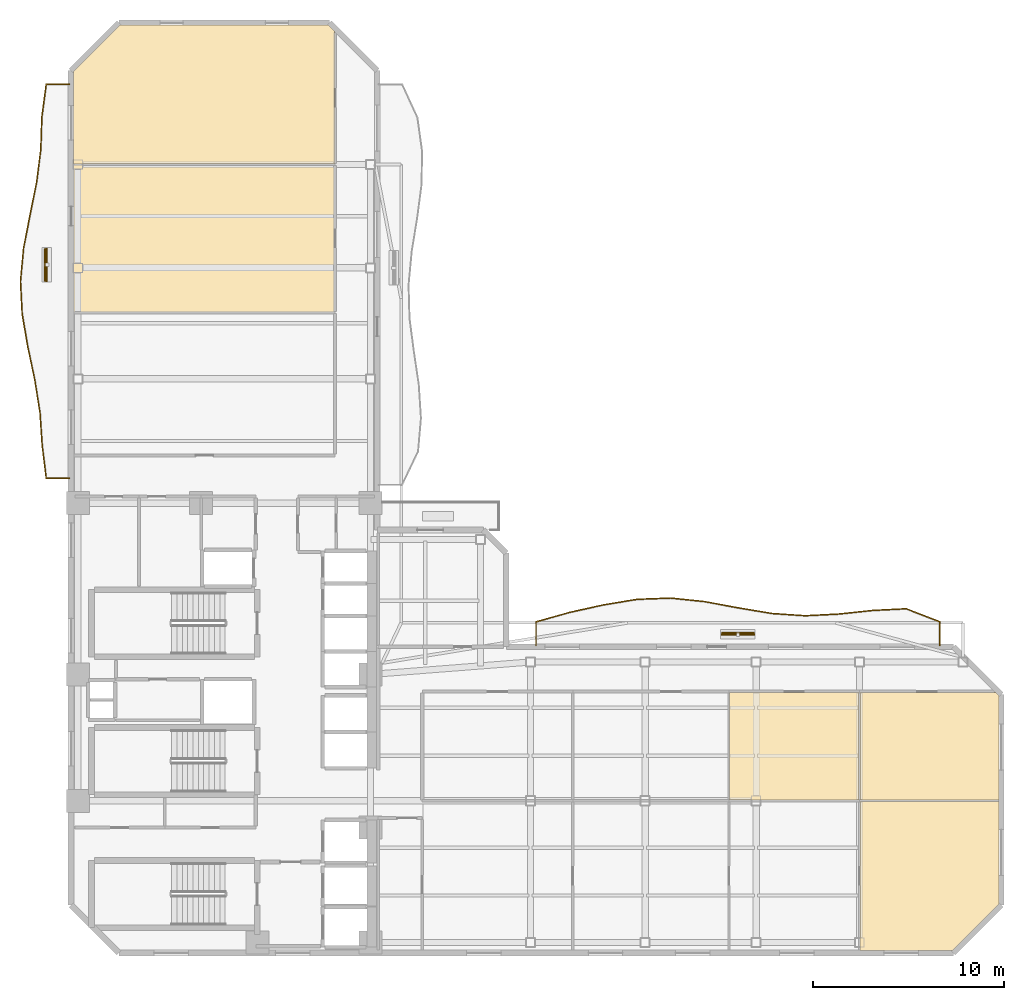
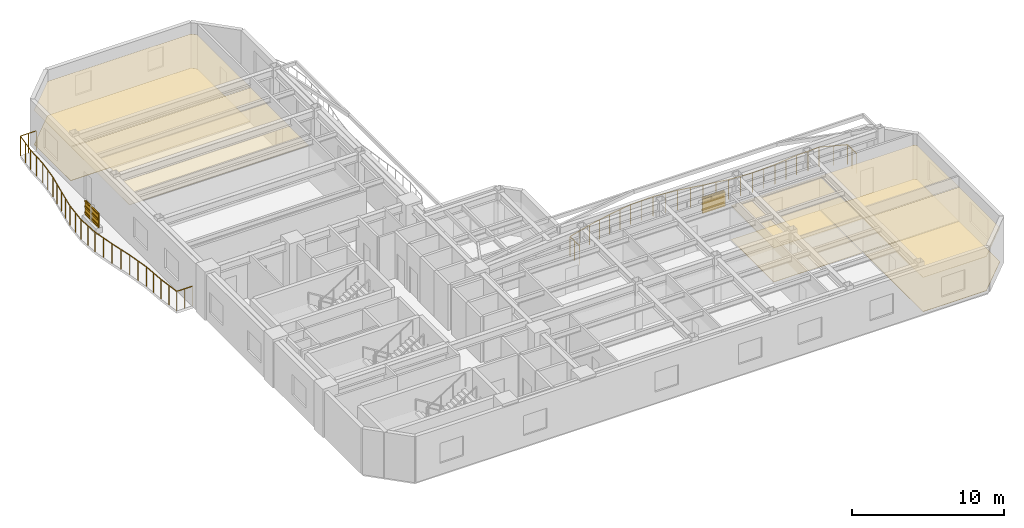
# One storey, part 9 of 10: 9 coverings, 8 shading devices, 2 railings.
"""IFC4 building model written with IfcOpenShell, lengths in metres."""

from ifc_helpers import new_model, si_unit, direction, frame, origin, origin_2d, place, context, subcontext, project, spatial, polyline, rectangle, outline, extrude, material, layer, layer_set, material_profile, profile_set, type_object, element, save


model = new_model("IFC4")

# Units and contexts
model_context = context("Model", 3, precision=1e-05, world=origin(), true_north=direction((0.0, 1.0)))
body_context = subcontext(model_context, "Body", "Model", "MODEL_VIEW")
ifc_project = project(units=[si_unit("LENGTHUNIT", "METRE"), si_unit("AREAUNIT", "SQUARE_METRE"), si_unit("VOLUMEUNIT", "CUBIC_METRE"), si_unit("PLANEANGLEUNIT", "RADIAN"), si_unit("MASSUNIT", "GRAM", prefix="KILO")], contexts=[model_context])

# Site, building, storey
site_placement = place(None, origin())
site = spatial("IfcSite", under=ifc_project, at=site_placement, CompositionType="ELEMENT")
building_placement = place(site_placement, origin())
building = spatial("IfcBuilding", under=site, at=building_placement, Name="Mawjaban Terraces University", CompositionType="ELEMENT")
storey_placement = place(building_placement, frame((0.0, 0.0, 158.0)))
storey = spatial("IfcBuildingStorey", under=building, at=storey_placement, Name="L38", CompositionType="ELEMENT", Elevation=158.0)

# Coverings
ifc_material_1 = material(Name="Acoustic mineral fibre ceiling tile", Category="masonry")
ifc_layer_1 = layer(ifc_material_1, 0.02001953125)
ifc_layer_set_1 = layer_set([ifc_layer_1], Name="Acoustic mineral fibre ceiling tile")
covering_type_1 = type_object("IfcCoveringType", Name="AcousticMineralCeiling_20", PredefinedType="CEILING", material=ifc_layer_set_1)
covering_1_placement = place(storey_placement, frame((0.0, 0.0, 2.75)))
element("IfcCovering", 1, at=covering_1_placement, inside=storey, type_object=covering_type_1, Name="L38 Classroom 7 Acoustic Ceiling", PredefinedType="CEILING", context=body_context, shape_type="SweptSolid", body=[
    extrude(outline(polyline([(63.169921875, 7.97998046875), (63.169921875, 13.6201171875), (56.412109375, 13.6201171875), (56.412109375, 7.97998046875), (63.169921875, 7.97998046875)])), origin(), (0.0, 0.0, 1.0), 0.02001953125),
])
covering_2_placement = place(storey_placement, frame((0.0, 0.0, 2.75)))
element("IfcCovering", 2, at=covering_2_placement, inside=storey, type_object=covering_type_1, Name="L38 Seminar Room 8 Acoustic Ceiling", PredefinedType="CEILING", context=body_context, shape_type="SweptSolid", body=[
    extrude(outline(polyline([(63.22998046875, 0.114990234375), (68.052978515625, 0.114990234375), (70.485107421875, 2.547119140625), (70.485107421875, 7.919921875), (63.22998046875, 7.919921875), (63.22998046875, 0.114990234375)])), origin(), (0.0, 0.0, 1.0), 0.02001953125),
])
covering_3_placement = place(storey_placement, frame((0.0, 0.0, 2.75)))
element("IfcCovering", 3, at=covering_3_placement, inside=storey, type_object=covering_type_1, Name="L38 Tutorial Room 9 Acoustic Ceiling", PredefinedType="CEILING", context=body_context, shape_type="SweptSolid", body=[
    extrude(outline(polyline([(70.485107421875, 7.97998046875), (70.485107421875, 13.452880859375), (70.318115234375, 13.6201171875), (63.22998046875, 13.6201171875), (63.22998046875, 7.97998046875), (70.485107421875, 7.97998046875)])), origin(), (0.0, 0.0, 1.0), 0.02001953125),
])
covering_4_placement = place(storey_placement, frame((0.0, 0.0, 2.75)))
element("IfcCovering", 4, at=covering_4_placement, inside=storey, type_object=covering_type_1, Name="L38 Student Tea Pantry 11 Acoustic Ceiling", PredefinedType="CEILING", context=body_context, shape_type="SweptSolid", body=[
    extrude(outline(polyline([(22.114990234375, 41.169921875), (22.114990234375, 33.488037109375), (35.77001953125, 33.488037109375), (35.77001953125, 41.169921875), (22.114990234375, 41.169921875)])), origin(), (0.0, 0.0, 1.0), 0.02001953125),
])
covering_5_placement = place(storey_placement, frame((0.0, 0.0, 2.75)))
element("IfcCovering", 5, at=covering_5_placement, inside=storey, type_object=covering_type_1, Name="L38 Quiet Reading Room 12 Acoustic Ceiling", PredefinedType="CEILING", context=body_context, shape_type="SweptSolid", body=[
    extrude(outline(polyline([(35.77001953125, 48.16796875), (35.452880859375, 48.485107421875), (24.547119140625, 48.485107421875), (22.114990234375, 46.052978515625), (22.114990234375, 41.22998046875), (35.77001953125, 41.22998046875), (35.77001953125, 48.16796875)])), origin(), (0.0, 0.0, 1.0), 0.02001953125),
])

# Railings
ifc_material_2 = material(Name="Galvanised powder-coated steel S355", Category="steel")
railing_type = type_object("IfcRailingType", Name="BalconyBalustrade_1600", PredefinedType="BALUSTRADE", material=ifc_material_2)
railing_1_placement = place(storey_placement, frame((21.919921875, 24.800048828125, 0.0)))
element("IfcRailing", 6, at=railing_1_placement, inside=storey, type_object=railing_type, Name="L38 Balcony Guardrail west", PredefinedType="BALUSTRADE", context=body_context, shape_type="SweptSolid", body=[
    extrude(rectangle(XDim=0.048095703125, YDim=0.048095703125, at=origin_2d()), frame((0.0, 0.0, 1.576171875), z_axis=(-1.0, 0.0, 0.0), x_axis=(0.0, -1.0, 0.0)), (0.0, 0.0, 1.0), 1.219970703125),
    extrude(rectangle(XDim=0.048095703125, YDim=0.048095703125, at=origin_2d()), frame((-1.219970703125, 0.0, 1.576171875), z_axis=(-0.122488819477, 0.992469893298, 0.0), x_axis=(-0.992469893298, -0.122488819477, 0.0)), (0.0, 0.0, 1.0), 1.72998046875),
    extrude(rectangle(XDim=0.048095703125, YDim=0.048095703125, at=origin_2d()), frame((-1.431884765625, 1.717041015625, 1.576171875), z_axis=(-0.066302277362, 0.997799583091, 0.0), x_axis=(-0.997799583091, -0.066302277362, 0.0)), (0.0, 0.0, 1.0), 1.719482421875),
    extrude(rectangle(XDim=0.048095703125, YDim=0.048095703125, at=origin_2d()), frame((-1.5458984375, 3.432861328125, 1.576171875), z_axis=(-0.157541431604, 0.987512378316, 0.0), x_axis=(-0.987512378316, -0.157541431604, 0.0)), (0.0, 0.0, 1.0), 1.73876953125),
    extrude(rectangle(XDim=0.048095703125, YDim=0.048095703125, at=origin_2d()), frame((-1.81982421875, 5.14990234375, 1.576171875), z_axis=(-0.206858725181, 0.978370823265, 0.0), x_axis=(-0.978370823265, -0.206858725181, 0.0)), (0.0, 0.0, 1.0), 1.7548828125),
    extrude(rectangle(XDim=0.048095703125, YDim=0.048095703125, at=origin_2d()), frame((-2.182861328125, 6.866943359375, 1.576171875), z_axis=(-0.169512504784, 0.985528036497, 0.0), x_axis=(-0.985528036497, -0.169512504784, 0.0)), (0.0, 0.0, 1.0), 1.7412109375),
    extrude(rectangle(XDim=0.048095703125, YDim=0.048095703125, at=origin_2d()), frame((-2.47802734375, 8.5830078125, 1.576171875), z_axis=(-0.051120332769, 0.998692501012, 0.0), x_axis=(-0.998692501012, -0.051120332769, 0.0)), (0.0, 0.0, 1.0), 1.71923828125),
    extrude(rectangle(XDim=0.048095703125, YDim=0.048095703125, at=origin_2d()), frame((-2.56591796875, 10.300048828125, 1.576171875), z_axis=(0.093305620359, 0.995637514967, 0.0), x_axis=(-0.995637514967, 0.093305620359, 0.0)), (0.0, 0.0, 1.0), 1.724365234375),
    extrude(rectangle(XDim=0.048095703125, YDim=0.048095703125, at=origin_2d()), frame((-2.405029296875, 12.016845703125, 1.576171875), z_axis=(0.189961103854, 0.981791616904, 0.0), x_axis=(-0.981791616904, 0.189961103854, 0.0)), (0.0, 0.0, 1.0), 1.747802734375),
    extrude(rectangle(XDim=0.048095703125, YDim=0.048095703125, at=origin_2d()), frame((-2.072998046875, 13.73291015625, 1.576171875), z_axis=(0.198179399531, 0.980165764349, 0.0), x_axis=(-0.980165764349, 0.198179399531, 0.0)), (0.0, 0.0, 1.0), 1.751708984375),
    extrude(rectangle(XDim=0.048095703125, YDim=0.048095703125, at=origin_2d()), frame((-1.725830078125, 15.449951171875, 1.576171875), z_axis=(0.127071813054, 0.991893519652, 0.0), x_axis=(-0.991893519652, 0.127071813054, 0.0)), (0.0, 0.0, 1.0), 1.73095703125),
    extrude(rectangle(XDim=0.048095703125, YDim=0.048095703125, at=origin_2d()), frame((-1.505859375, 17.1669921875, 1.576171875), z_axis=(0.033130188277, 0.999451044636, 0.0), x_axis=(-0.999451044636, 0.033130188277, 0.0)), (0.0, 0.0, 1.0), 1.717041015625),
    extrude(rectangle(XDim=0.048095703125, YDim=0.048095703125, at=origin_2d()), frame((-1.448974609375, 18.883056640625, 1.576171875), z_axis=(0.132219118441, 0.99122051266, 0.0), x_axis=(-0.99122051266, 0.132219118441, 0.0)), (0.0, 0.0, 1.0), 1.73193359375),
    extrude(rectangle(XDim=0.048095703125, YDim=0.048095703125, at=origin_2d()), frame((-1.219970703125, 20.599853515625, 1.576171875), z_axis=(1.0, 0.0, 0.0), x_axis=(0.0, 1.0, 0.0)), (0.0, 0.0, 1.0), 1.219970703125),
    extrude(rectangle(XDim=0.0419921875, YDim=0.0419921875, at=origin_2d()), origin(), (0.0, 0.0, 1.0), 1.552001953125),
    extrude(rectangle(XDim=0.0419921875, YDim=0.0419921875, at=origin_2d()), frame((-0.60986328125, 0.0, 0.0)), (0.0, 0.0, 1.0), 1.552001953125),
    extrude(rectangle(XDim=0.0419921875, YDim=0.0419921875, at=origin_2d()), frame((-1.219970703125, 0.0, 0.0)), (0.0, 0.0, 1.0), 1.552001953125),
    extrude(rectangle(XDim=0.0419921875, YDim=0.0419921875, at=origin_2d()), frame((-1.325927734375, 0.8583984375, 0.0)), (0.0, 0.0, 1.0), 1.552001953125),
    extrude(rectangle(XDim=0.0419921875, YDim=0.0419921875, at=origin_2d()), frame((-1.431884765625, 1.717041015625, 0.0)), (0.0, 0.0, 1.0), 1.552001953125),
    extrude(rectangle(XDim=0.0419921875, YDim=0.0419921875, at=origin_2d()), frame((-1.48876953125, 2.574951171875, 0.0)), (0.0, 0.0, 1.0), 1.552001953125),
    extrude(rectangle(XDim=0.0419921875, YDim=0.0419921875, at=origin_2d()), frame((-1.5458984375, 3.432861328125, 0.0)), (0.0, 0.0, 1.0), 1.552001953125),
    extrude(rectangle(XDim=0.0419921875, YDim=0.0419921875, at=origin_2d()), frame((-1.682861328125, 4.29150390625, 0.0)), (0.0, 0.0, 1.0), 1.552001953125),
    extrude(rectangle(XDim=0.0419921875, YDim=0.0419921875, at=origin_2d()), frame((-1.81982421875, 5.14990234375, 0.0)), (0.0, 0.0, 1.0), 1.552001953125),
    extrude(rectangle(XDim=0.0419921875, YDim=0.0419921875, at=origin_2d()), frame((-2.00146484375, 6.00830078125, 0.0)), (0.0, 0.0, 1.0), 1.552001953125),
    extrude(rectangle(XDim=0.0419921875, YDim=0.0419921875, at=origin_2d()), frame((-2.182861328125, 6.866943359375, 0.0)), (0.0, 0.0, 1.0), 1.552001953125),
    extrude(rectangle(XDim=0.0419921875, YDim=0.0419921875, at=origin_2d()), frame((-2.33056640625, 7.72509765625, 0.0)), (0.0, 0.0, 1.0), 1.552001953125),
    extrude(rectangle(XDim=0.0419921875, YDim=0.0419921875, at=origin_2d()), frame((-2.47802734375, 8.5830078125, 0.0)), (0.0, 0.0, 1.0), 1.552001953125),
    extrude(rectangle(XDim=0.0419921875, YDim=0.0419921875, at=origin_2d()), frame((-2.52197265625, 9.44140625, 0.0)), (0.0, 0.0, 1.0), 1.552001953125),
    extrude(rectangle(XDim=0.0419921875, YDim=0.0419921875, at=origin_2d()), frame((-2.56591796875, 10.300048828125, 0.0)), (0.0, 0.0, 1.0), 1.552001953125),
    extrude(rectangle(XDim=0.0419921875, YDim=0.0419921875, at=origin_2d()), frame((-2.4853515625, 11.158447265625, 0.0)), (0.0, 0.0, 1.0), 1.552001953125),
    extrude(rectangle(XDim=0.0419921875, YDim=0.0419921875, at=origin_2d()), frame((-2.405029296875, 12.016845703125, 0.0)), (0.0, 0.0, 1.0), 1.552001953125),
    extrude(rectangle(XDim=0.0419921875, YDim=0.0419921875, at=origin_2d()), frame((-2.239013671875, 12.875, 0.0)), (0.0, 0.0, 1.0), 1.552001953125),
    extrude(rectangle(XDim=0.0419921875, YDim=0.0419921875, at=origin_2d()), frame((-2.072998046875, 13.73291015625, 0.0)), (0.0, 0.0, 1.0), 1.552001953125),
    extrude(rectangle(XDim=0.0419921875, YDim=0.0419921875, at=origin_2d()), frame((-1.8994140625, 14.59130859375, 0.0)), (0.0, 0.0, 1.0), 1.552001953125),
    extrude(rectangle(XDim=0.0419921875, YDim=0.0419921875, at=origin_2d()), frame((-1.725830078125, 15.449951171875, 0.0)), (0.0, 0.0, 1.0), 1.552001953125),
    extrude(rectangle(XDim=0.0419921875, YDim=0.0419921875, at=origin_2d()), frame((-1.61572265625, 16.30859375, 0.0)), (0.0, 0.0, 1.0), 1.552001953125),
    extrude(rectangle(XDim=0.0419921875, YDim=0.0419921875, at=origin_2d()), frame((-1.505859375, 17.1669921875, 0.0)), (0.0, 0.0, 1.0), 1.552001953125),
    extrude(rectangle(XDim=0.0419921875, YDim=0.0419921875, at=origin_2d()), frame((-1.4775390625, 18.02490234375, 0.0)), (0.0, 0.0, 1.0), 1.552001953125),
    extrude(rectangle(XDim=0.0419921875, YDim=0.0419921875, at=origin_2d()), frame((-1.448974609375, 18.883056640625, 0.0)), (0.0, 0.0, 1.0), 1.552001953125),
    extrude(rectangle(XDim=0.0419921875, YDim=0.0419921875, at=origin_2d()), frame((-1.33447265625, 19.741455078125, 0.0)), (0.0, 0.0, 1.0), 1.552001953125),
    extrude(rectangle(XDim=0.0419921875, YDim=0.0419921875, at=origin_2d()), frame((-1.219970703125, 20.599853515625, 0.0)), (0.0, 0.0, 1.0), 1.552001953125),
    extrude(rectangle(XDim=0.0419921875, YDim=0.0419921875, at=origin_2d()), frame((-0.60986328125, 20.599853515625, 0.0)), (0.0, 0.0, 1.0), 1.552001953125),
    extrude(rectangle(XDim=0.0419921875, YDim=0.0419921875, at=origin_2d()), frame((0.0, 20.599853515625, 0.0)), (0.0, 0.0, 1.0), 1.552001953125),
])
railing_2_placement = place(storey_placement, frame((46.2939453125, 16.080078125, 0.0)))
element("IfcRailing", 7, at=railing_2_placement, inside=storey, type_object=railing_type, Name="L38 Balcony Guardrail inner_north", PredefinedType="BALUSTRADE", context=body_context, shape_type="SweptSolid", body=[
    extrude(rectangle(XDim=0.048095703125, YDim=0.048095703125, at=origin_2d()), frame((0.0, 0.0, 1.576171875), z_axis=(0.0, 1.0, 0.0), x_axis=(-1.0, 0.0, 0.0)), (0.0, 0.0, 1.0), 1.219970703125),
    extrude(rectangle(XDim=0.048095703125, YDim=0.048095703125, at=origin_2d()), frame((0.0, 1.219970703125, 1.576171875), z_axis=(0.962490831044, 0.271314209278, 0.0), x_axis=(-0.271314209278, 0.962490831044, 0.0)), (0.0, 0.0, 1.0), 1.82763671875),
    extrude(rectangle(XDim=0.048095703125, YDim=0.048095703125, at=origin_2d()), frame((1.759033203125, 1.7158203125, 1.576171875), z_axis=(0.976390698962, 0.216012043601, 0.0), x_axis=(-0.216012043601, 0.976390698962, 0.0)), (0.0, 0.0, 1.0), 1.801513671875),
    extrude(rectangle(XDim=0.048095703125, YDim=0.048095703125, at=origin_2d()), frame((3.51806640625, 2.10498046875, 1.576171875), z_axis=(0.986397625762, 0.164376774186, 0.0), x_axis=(-0.164376774186, 0.986397625762, 0.0)), (0.0, 0.0, 1.0), 1.7822265625),
    extrude(rectangle(XDim=0.048095703125, YDim=0.048095703125, at=origin_2d()), frame((5.276123046875, 2.39794921875, 1.576171875), z_axis=(0.999298589203, 0.037447691754, 0.0), x_axis=(-0.037447691754, 0.999298589203, 0.0)), (0.0, 0.0, 1.0), 1.76025390625),
    extrude(rectangle(XDim=0.048095703125, YDim=0.048095703125, at=origin_2d()), frame((7.03515625, 2.4638671875, 1.576171875), z_axis=(0.994695204555, -0.102866175374, 0.0), x_axis=(0.102866175374, 0.994695204555, 0.0)), (0.0, 0.0, 1.0), 1.76806640625),
    extrude(rectangle(XDim=0.048095703125, YDim=0.048095703125, at=origin_2d()), frame((8.7939453125, 2.281982421875, 1.576171875), z_axis=(0.983141460234, -0.182846572757, 0.0), x_axis=(0.182846572757, 0.983141460234, 0.0)), (0.0, 0.0, 1.0), 1.789306640625),
    extrude(rectangle(XDim=0.048095703125, YDim=0.048095703125, at=origin_2d()), frame((10.552978515625, 1.954833984375, 1.576171875), z_axis=(0.98614495807, -0.165885869421, 0.0), x_axis=(0.165885869421, 0.98614495807, 0.0)), (0.0, 0.0, 1.0), 1.78369140625),
    extrude(rectangle(XDim=0.048095703125, YDim=0.048095703125, at=origin_2d()), frame((12.31201171875, 1.658935546875, 1.576171875), z_axis=(0.997760580089, -0.066886656514, 0.0), x_axis=(0.066886656514, 0.997760580089, 0.0)), (0.0, 0.0, 1.0), 1.762939453125),
    extrude(rectangle(XDim=0.048095703125, YDim=0.048095703125, at=origin_2d()), frame((14.071044921875, 1.541015625, 1.576171875), z_axis=(0.998726278648, 0.050456122891, 0.0), x_axis=(-0.050456122891, 0.998726278648, 0.0)), (0.0, 0.0, 1.0), 1.76123046875),
    extrude(rectangle(XDim=0.048095703125, YDim=0.048095703125, at=origin_2d()), frame((15.830078125, 1.6298828125, 1.576171875), z_axis=(0.994331594155, 0.106323472782, 0.0), x_axis=(-0.106323472782, 0.994331594155, 0.0)), (0.0, 0.0, 1.0), 1.76806640625),
    extrude(rectangle(XDim=0.048095703125, YDim=0.048095703125, at=origin_2d()), frame((17.588134765625, 1.81787109375, 1.576171875), z_axis=(0.998774707744, 0.049488212445, 0.0), x_axis=(-0.049488212445, 0.998774707744, 0.0)), (0.0, 0.0, 1.0), 1.76123046875),
    extrude(rectangle(XDim=0.048095703125, YDim=0.048095703125, at=origin_2d()), frame((19.34716796875, 1.905029296875, 1.576171875), z_axis=(0.931810345016, -0.362945561926, 0.0), x_axis=(0.362945561926, 0.931810345016, 0.0)), (0.0, 0.0, 1.0), 1.887451171875),
    extrude(rectangle(XDim=0.048095703125, YDim=0.048095703125, at=origin_2d()), frame((21.10595703125, 1.219970703125, 1.576171875), z_axis=(0.0, -1.0, 0.0), x_axis=(1.0, 0.0, 0.0)), (0.0, 0.0, 1.0), 1.219970703125),
    extrude(rectangle(XDim=0.0419921875, YDim=0.0419921875, at=origin_2d()), origin(), (0.0, 0.0, 1.0), 1.552001953125),
    extrude(rectangle(XDim=0.0419921875, YDim=0.0419921875, at=origin_2d()), frame((0.0, 0.60986328125, 0.0)), (0.0, 0.0, 1.0), 1.552001953125),
    extrude(rectangle(XDim=0.0419921875, YDim=0.0419921875, at=origin_2d()), frame((0.0, 1.219970703125, 0.0)), (0.0, 0.0, 1.0), 1.552001953125),
    extrude(rectangle(XDim=0.0419921875, YDim=0.0419921875, at=origin_2d()), frame((0.87939453125, 1.4677734375, 0.0)), (0.0, 0.0, 1.0), 1.552001953125),
    extrude(rectangle(XDim=0.0419921875, YDim=0.0419921875, at=origin_2d()), frame((1.759033203125, 1.7158203125, 0.0)), (0.0, 0.0, 1.0), 1.552001953125),
    extrude(rectangle(XDim=0.0419921875, YDim=0.0419921875, at=origin_2d()), frame((2.638671875, 1.910400390625, 0.0)), (0.0, 0.0, 1.0), 1.552001953125),
    extrude(rectangle(XDim=0.0419921875, YDim=0.0419921875, at=origin_2d()), frame((3.51806640625, 2.10498046875, 0.0)), (0.0, 0.0, 1.0), 1.552001953125),
    extrude(rectangle(XDim=0.0419921875, YDim=0.0419921875, at=origin_2d()), frame((4.39697265625, 2.25146484375, 0.0)), (0.0, 0.0, 1.0), 1.552001953125),
    extrude(rectangle(XDim=0.0419921875, YDim=0.0419921875, at=origin_2d()), frame((5.276123046875, 2.39794921875, 0.0)), (0.0, 0.0, 1.0), 1.552001953125),
    extrude(rectangle(XDim=0.0419921875, YDim=0.0419921875, at=origin_2d()), frame((6.15576171875, 2.430908203125, 0.0)), (0.0, 0.0, 1.0), 1.552001953125),
    extrude(rectangle(XDim=0.0419921875, YDim=0.0419921875, at=origin_2d()), frame((7.03515625, 2.4638671875, 0.0)), (0.0, 0.0, 1.0), 1.552001953125),
    extrude(rectangle(XDim=0.0419921875, YDim=0.0419921875, at=origin_2d()), frame((7.91455078125, 2.373046875, 0.0)), (0.0, 0.0, 1.0), 1.552001953125),
    extrude(rectangle(XDim=0.0419921875, YDim=0.0419921875, at=origin_2d()), frame((8.7939453125, 2.281982421875, 0.0)), (0.0, 0.0, 1.0), 1.552001953125),
    extrude(rectangle(XDim=0.0419921875, YDim=0.0419921875, at=origin_2d()), frame((9.67333984375, 2.118408203125, 0.0)), (0.0, 0.0, 1.0), 1.552001953125),
    extrude(rectangle(XDim=0.0419921875, YDim=0.0419921875, at=origin_2d()), frame((10.552978515625, 1.954833984375, 0.0)), (0.0, 0.0, 1.0), 1.552001953125),
    extrude(rectangle(XDim=0.0419921875, YDim=0.0419921875, at=origin_2d()), frame((11.4326171875, 1.806884765625, 0.0)), (0.0, 0.0, 1.0), 1.552001953125),
    extrude(rectangle(XDim=0.0419921875, YDim=0.0419921875, at=origin_2d()), frame((12.31201171875, 1.658935546875, 0.0)), (0.0, 0.0, 1.0), 1.552001953125),
    extrude(rectangle(XDim=0.0419921875, YDim=0.0419921875, at=origin_2d()), frame((13.19140625, 1.60009765625, 0.0)), (0.0, 0.0, 1.0), 1.552001953125),
    extrude(rectangle(XDim=0.0419921875, YDim=0.0419921875, at=origin_2d()), frame((14.071044921875, 1.541015625, 0.0)), (0.0, 0.0, 1.0), 1.552001953125),
    extrude(rectangle(XDim=0.0419921875, YDim=0.0419921875, at=origin_2d()), frame((14.95068359375, 1.58544921875, 0.0)), (0.0, 0.0, 1.0), 1.552001953125),
    extrude(rectangle(XDim=0.0419921875, YDim=0.0419921875, at=origin_2d()), frame((15.830078125, 1.6298828125, 0.0)), (0.0, 0.0, 1.0), 1.552001953125),
    extrude(rectangle(XDim=0.0419921875, YDim=0.0419921875, at=origin_2d()), frame((16.708984375, 1.723876953125, 0.0)), (0.0, 0.0, 1.0), 1.552001953125),
    extrude(rectangle(XDim=0.0419921875, YDim=0.0419921875, at=origin_2d()), frame((17.588134765625, 1.81787109375, 0.0)), (0.0, 0.0, 1.0), 1.552001953125),
    extrude(rectangle(XDim=0.0419921875, YDim=0.0419921875, at=origin_2d()), frame((18.4677734375, 1.861328125, 0.0)), (0.0, 0.0, 1.0), 1.552001953125),
    extrude(rectangle(XDim=0.0419921875, YDim=0.0419921875, at=origin_2d()), frame((19.34716796875, 1.905029296875, 0.0)), (0.0, 0.0, 1.0), 1.552001953125),
    extrude(rectangle(XDim=0.0419921875, YDim=0.0419921875, at=origin_2d()), frame((20.2265625, 1.5625, 0.0)), (0.0, 0.0, 1.0), 1.552001953125),
    extrude(rectangle(XDim=0.0419921875, YDim=0.0419921875, at=origin_2d()), frame((21.10595703125, 1.219970703125, 0.0)), (0.0, 0.0, 1.0), 1.552001953125),
    extrude(rectangle(XDim=0.0419921875, YDim=0.0419921875, at=origin_2d()), frame((21.10595703125, 0.60986328125, 0.0)), (0.0, 0.0, 1.0), 1.552001953125),
    extrude(rectangle(XDim=0.0419921875, YDim=0.0419921875, at=origin_2d()), frame((21.10595703125, 0.0, 0.0)), (0.0, 0.0, 1.0), 1.552001953125),
])

# Shading devices
ifc_material_3 = material(Name="Glazed architectural terracotta ceramic", Category="masonry")
ifc_material_profile = material_profile(ifc_material_3, rectangle(XDim=0.06494140625, YDim=0.110107421875, at=origin_2d()), Name="TBAG110X65")
ifc_profile_set = profile_set([ifc_material_profile], Name="Glazed architectural terracotta ceramic")
shading_device_type_1 = type_object("IfcShadingDeviceType", Name="TerracottaBaguette_110x65", PredefinedType="USERDEFINED", material=ifc_profile_set)
for number, where, z_axis, x_axis, name in (
    (8, (20.636962890625, 35.10888671875, 0.679931640625), (0.0, 1.0, 0.0), (-1.0, 0.0, 0.0), "L38 Horizontal Terracotta Baguette west.1"),
    (9, (20.636962890625, 35.10888671875, 1.14990234375), (0.0, 1.0, 0.0), (-1.0, 0.0, 0.0), "L38 Horizontal Terracotta Baguette west.2"),
    (10, (20.636962890625, 35.10888671875, 1.6201171875), (0.0, 1.0, 0.0), (-1.0, 0.0, 0.0), "L38 Horizontal Terracotta Baguette west.3"),
):
    element("IfcShadingDevice", number, at=place(storey_placement, frame(where, z_axis=z_axis, x_axis=x_axis)), inside=storey, type_object=shading_device_type_1, Name=name, ObjectType="BAGUETTE", PredefinedType="USERDEFINED", context=body_context, shape_type="SweptSolid", body=[
        extrude(rectangle(XDim=0.06494140625, YDim=0.110107421875, at=origin_2d()), origin(), (0.0, 0.0, 1.0), 1.7001953125),
    ])
for number, where, z_axis, x_axis, name in (
    (11, (55.9970703125, 16.72998046875, 0.679931640625), (1.0, 0.0, 0.0), (0.0, 1.0, 0.0), "L38 Horizontal Terracotta Baguette inner_north.1"),
    (12, (55.9970703125, 16.72998046875, 1.14990234375), (1.0, 0.0, 0.0), (0.0, 1.0, 0.0), "L38 Horizontal Terracotta Baguette inner_north.2"),
    (13, (55.9970703125, 16.72998046875, 1.6201171875), (1.0, 0.0, 0.0), (0.0, 1.0, 0.0), "L38 Horizontal Terracotta Baguette inner_north.3"),
):
    element("IfcShadingDevice", number, at=place(storey_placement, frame(where, z_axis=z_axis, x_axis=x_axis)), inside=storey, type_object=shading_device_type_1, Name=name, ObjectType="BAGUETTE", PredefinedType="USERDEFINED", context=body_context, shape_type="SweptSolid", body=[
        extrude(rectangle(XDim=0.06494140625, YDim=0.110107421875, at=origin_2d()), origin(), (0.0, 0.0, 1.0), 1.699951171875),
    ])
ifc_layer_2 = layer(ifc_material_3, 0.080078125)
ifc_layer_set_2 = layer_set([ifc_layer_2], Name="Glazed architectural terracotta ceramic")
shading_device_type_2 = type_object("IfcShadingDeviceType", Name="TerracottaScreen_Perforated", PredefinedType="USERDEFINED", material=ifc_layer_set_2)
for number, where, z_axis, x_axis, name in (
    (14, (20.721923828125, 35.958984375, 0.43994140625), (0.0, 0.0, 1.0), (0.0, 1.0, 0.0), "L38 Balcony Perforated Terracotta Screen west"),
    (15, (56.846923828125, 16.64501953125, 0.43994140625), (0.0, 0.0, 1.0), (1.0, 0.0, 0.0), "L38 Balcony Perforated Terracotta Screen inner_north"),
):
    element("IfcShadingDevice", number, at=place(storey_placement, frame(where, z_axis=z_axis, x_axis=x_axis)), inside=storey, type_object=shading_device_type_2, Name=name, ObjectType="SCREEN", PredefinedType="USERDEFINED", context=body_context, shape_type="SweptSolid", body=[
        extrude(rectangle(XDim=1.75, YDim=0.080078125, at=origin_2d()), origin(), (0.0, 0.0, 1.0), 1.14990234375),
    ])

# Coverings
ifc_material_4 = material(Name="Polished Hijazi granite terrazzo flooring", Category="masonry")
ifc_layer_3 = layer(ifc_material_4, 0.02490234375)
ifc_layer_set_3 = layer_set([ifc_layer_3], Name="Polished Hijazi granite terrazzo flooring")
covering_type_2 = type_object("IfcCoveringType", Name="TerrazzoConcourseFlooring_25", PredefinedType="FLOORING", material=ifc_layer_set_3)
covering_6_placement = place(storey_placement, origin())
element("IfcCovering", 16, at=covering_6_placement, inside=storey, type_object=covering_type_2, Name="L38 Classroom 7 Terrazzo Flooring", PredefinedType="FLOORING", context=body_context, shape_type="SweptSolid", body=[
    extrude(outline(polyline([(63.169921875, 7.97998046875), (63.169921875, 13.6201171875), (56.412109375, 13.6201171875), (56.412109375, 7.97998046875), (63.169921875, 7.97998046875)])), origin(), (0.0, 0.0, 1.0), 0.02490234375),
])
covering_7_placement = place(storey_placement, origin())
element("IfcCovering", 17, at=covering_7_placement, inside=storey, type_object=covering_type_2, Name="L38 Seminar Room 8 Terrazzo Flooring", PredefinedType="FLOORING", context=body_context, shape_type="SweptSolid", body=[
    extrude(outline(polyline([(63.22998046875, 0.114990234375), (68.052978515625, 0.114990234375), (70.485107421875, 2.547119140625), (70.485107421875, 7.919921875), (63.22998046875, 7.919921875), (63.22998046875, 0.114990234375)])), origin(), (0.0, 0.0, 1.0), 0.02490234375),
])
covering_8_placement = place(storey_placement, origin())
element("IfcCovering", 18, at=covering_8_placement, inside=storey, type_object=covering_type_2, Name="L38 Tutorial Room 9 Terrazzo Flooring", PredefinedType="FLOORING", context=body_context, shape_type="SweptSolid", body=[
    extrude(outline(polyline([(70.485107421875, 7.97998046875), (70.485107421875, 13.452880859375), (70.318115234375, 13.6201171875), (63.22998046875, 13.6201171875), (63.22998046875, 7.97998046875), (70.485107421875, 7.97998046875)])), origin(), (0.0, 0.0, 1.0), 0.02490234375),
])
covering_9_placement = place(storey_placement, origin())
element("IfcCovering", 19, at=covering_9_placement, inside=storey, type_object=covering_type_2, Name="L38 Quiet Reading Room 12 Terrazzo Flooring", PredefinedType="FLOORING", context=body_context, shape_type="SweptSolid", body=[
    extrude(outline(polyline([(35.77001953125, 48.16796875), (35.452880859375, 48.485107421875), (24.547119140625, 48.485107421875), (22.114990234375, 46.052978515625), (22.114990234375, 41.22998046875), (35.77001953125, 41.22998046875), (35.77001953125, 48.16796875)])), origin(), (0.0, 0.0, 1.0), 0.02490234375),
])

save(model, "model.ifc")
